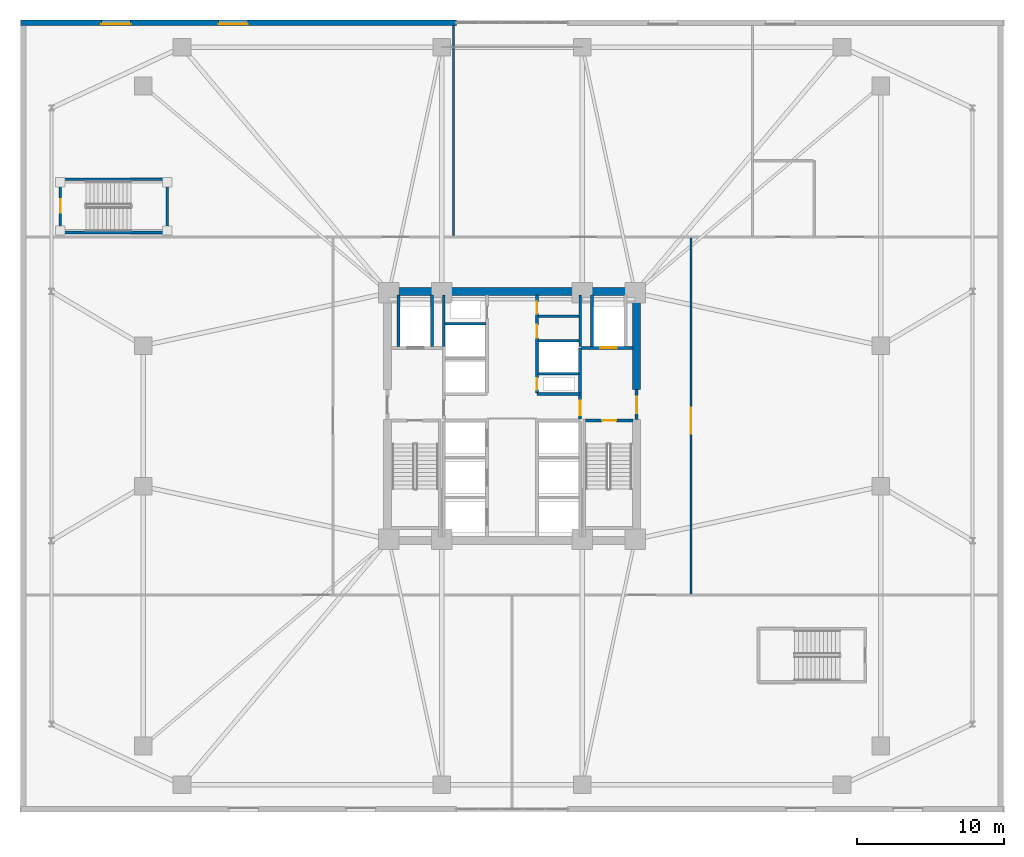
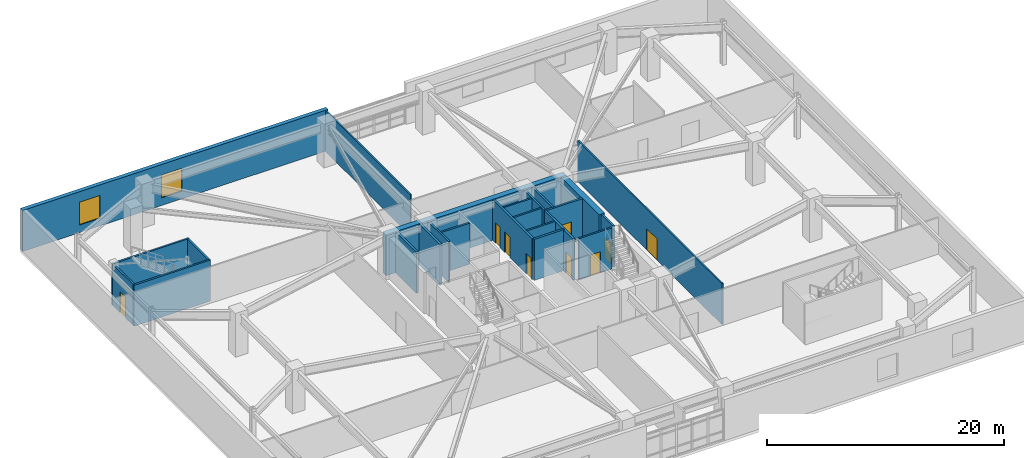
# One storey, part 13 of 21: 24 walls, 9 doors, 2 windows, 11 openings.
"""IFC4 building model written with IfcOpenShell, lengths in metres."""

from ifc_helpers import new_model, si_unit, direction, frame, frame_2d, origin, place, context, subcontext, project, spatial, rectangle, extrude, material, layer, layer_set, type_object, element, fill, save


model = new_model("IFC4")

# Units and contexts
model_context = context("Model", 3, precision=1e-05, world=origin(), true_north=direction((0.0, 1.0)))
body_context = subcontext(model_context, "Body", "Model", "MODEL_VIEW")
ifc_project = project(units=[si_unit("LENGTHUNIT", "METRE"), si_unit("AREAUNIT", "SQUARE_METRE"), si_unit("VOLUMEUNIT", "CUBIC_METRE"), si_unit("PLANEANGLEUNIT", "RADIAN"), si_unit("MASSUNIT", "GRAM", prefix="KILO")], contexts=[model_context])

# Site, building, storey
site_placement = place(None, origin())
site = spatial("IfcSite", under=ifc_project, at=site_placement, CompositionType="ELEMENT")
building_placement = place(site_placement, origin())
building = spatial("IfcBuilding", under=site, at=building_placement, Name="Cairnveth Concourse Tower", CompositionType="ELEMENT")
storey_placement = place(building_placement, frame((0.0, 0.0, 10.0)))
storey = spatial("IfcBuildingStorey", under=building, at=storey_placement, Name="L02", CompositionType="ELEMENT", Elevation=10.0)

# Walls
ifc_material_1 = material(Name="Gypsum Plasterboard Partition", Category="gypsum")
ifc_layer_1 = layer(ifc_material_1, 0.159912109375)
ifc_layer_set_1 = layer_set([ifc_layer_1], Name="Gypsum Plasterboard Partition")
wall_type_1 = type_object("IfcWallType", Name="ACOUSTIC PARTY WALL 180", PredefinedType="PARTITIONING", material=ifc_layer_set_1)
wall_1_placement = place(storey_placement, frame((53.784912109375, 45.800048828125, 0.0), z_axis=(0.0, 0.0, 1.0), x_axis=(1.0, 0.0, 0.0)))
element("IfcWall", 1, at=wall_1_placement, inside=storey, type_object=wall_type_1, Name="Interior Wall IW-L02-037", PredefinedType="PARTITIONING", context=body_context, shape_type="SweptSolid", body=[
    extrude(rectangle(XDim=2.7900390625, YDim=0.159912109375, at=frame_2d((1.39501953125, 0.0))), origin(), (0.0, 0.0, 1.0), 4.219970703125),
])
ifc_material_2 = material(Name="Concrete N80 (80 MPa)", Category="concrete")
ifc_layer_2 = layer(ifc_material_2, 0.550048828125)
ifc_layer_set_2 = layer_set([ifc_layer_2], Name="Concrete N80 (80 MPa)")
wall_type_2 = type_object("IfcWallType", Name="CORE SHEAR WALL 550", PredefinedType="SHEAR", material=ifc_layer_set_2)
wall_2_placement = place(storey_placement, frame((43.22509765625, 47.5, 0.0), z_axis=(0.0, 0.0, 1.0), x_axis=(1.0, 0.0, 0.0)))
element("IfcWall", 2, at=wall_2_placement, inside=storey, type_object=wall_type_2, Name="Core North Shear Wall L02", PredefinedType="SHEAR", context=body_context, shape_type="SweptSolid", body=[
    extrude(rectangle(XDim=17.5498046875, YDim=0.550048828125, at=frame_2d((8.77490234375, 0.0))), origin(), (0.0, 0.0, 1.0), 4.219970703125),
])
wall_3_placement = place(storey_placement, frame((60.5, 40.800048828125, 0.0), z_axis=(0.0, 0.0, 1.0), x_axis=(0.0, 1.0, 0.0)))
element("IfcWall", 3, at=wall_3_placement, inside=storey, type_object=wall_type_2, Name="Core East Shear Wall N L02", PredefinedType="SHEAR", context=body_context, shape_type="SweptSolid", body=[
    extrude(rectangle(XDim=6.43505859375, YDim=0.550048828125, at=frame_2d((3.217529296875, 0.0))), origin(), (0.0, 0.0, 1.0), 4.219970703125),
])
ifc_material_3 = material(Name="Concrete N50 (50 MPa)", Category="concrete")
ifc_layer_3 = layer(ifc_material_3, 0.179931640625)
ifc_layer_set_3 = layer_set([ifc_layer_3], Name="Concrete N50 (50 MPa)")
wall_type_3 = type_object("IfcWallType", Name="FIRE SHAFT WALL 180", PredefinedType="SOLIDWALL", material=ifc_layer_set_3)
wall_4_placement = place(storey_placement, frame((47.35009765625, 43.735107421875, 0.0), z_axis=(0.0, 0.0, 1.0), x_axis=(0.0, 1.0, 0.0)))
element("IfcWall", 4, at=wall_4_placement, inside=storey, type_object=wall_type_3, Name="Interior Wall IW-L02-031", PredefinedType="SOLIDWALL", context=body_context, shape_type="SweptSolid", body=[
    extrude(rectangle(XDim=3.5048828125, YDim=0.179931640625, at=frame_2d((1.75244140625, 0.0))), origin(), (0.0, 0.0, 1.0), 4.219970703125),
])
wall_5_placement = place(storey_placement, frame((47.425048828125, 45.280029296875, 0.0), z_axis=(0.0, 0.0, 1.0), x_axis=(1.0, 0.0, 0.0)))
element("IfcWall", 5, at=wall_5_placement, inside=storey, type_object=wall_type_3, Name="Interior Wall IW-L02-033", PredefinedType="SOLIDWALL", context=body_context, shape_type="SweptSolid", body=[
    extrude(rectangle(XDim=2.7900390625, YDim=0.179931640625, at=frame_2d((1.39501953125, 0.0))), origin(), (0.0, 0.0, 1.0), 4.219970703125),
])
wall_6_placement = place(storey_placement, frame((56.64990234375, 43.735107421875, 0.0), z_axis=(0.0, 0.0, 1.0), x_axis=(0.0, 1.0, 0.0)))
element("IfcWall", 6, at=wall_6_placement, inside=storey, type_object=wall_type_3, Name="Interior Wall IW-L02-034", PredefinedType="SOLIDWALL", context=body_context, shape_type="SweptSolid", body=[
    extrude(rectangle(XDim=3.5048828125, YDim=0.179931640625, at=frame_2d((1.75244140625, 0.0))), origin(), (0.0, 0.0, 1.0), 4.219970703125),
])
wall_7_placement = place(storey_placement, frame((53.784912109375, 41.8798828125, 0.0), z_axis=(0.0, 0.0, 1.0), x_axis=(1.0, 0.0, 0.0)))
element("IfcWall", 7, at=wall_7_placement, inside=storey, type_object=wall_type_3, Name="Interior Wall IW-L02-035", PredefinedType="SOLIDWALL", context=body_context, shape_type="SweptSolid", body=[
    extrude(rectangle(XDim=2.780029296875, YDim=0.179931640625, at=frame_2d((1.39013671875, 0.0))), origin(), (0.0, 0.0, 1.0), 4.219970703125),
])
wall_8_placement = place(storey_placement, frame((53.784912109375, 44.1201171875, 0.0), z_axis=(0.0, 0.0, 1.0), x_axis=(1.0, 0.0, 0.0)))
element("IfcWall", 8, at=wall_8_placement, inside=storey, type_object=wall_type_3, Name="Interior Wall IW-L02-036", PredefinedType="SOLIDWALL", context=body_context, shape_type="SweptSolid", body=[
    extrude(rectangle(XDim=2.7900390625, YDim=0.179931640625, at=frame_2d((1.39501953125, 0.0))), origin(), (0.0, 0.0, 1.0), 4.219970703125),
])

# Wall, opening, door
wall_9_placement = place(storey_placement, frame((57.0048828125, 38.68994140625, 0.0), z_axis=(0.0, 0.0, 1.0), x_axis=(1.0, 0.0, 0.0)))
wall_9 = element("IfcWall", 9, at=wall_9_placement, inside=storey, type_object=wall_type_3, Name="Stair ST-2 Shaft Wall NEAR L02", PredefinedType="SOLIDWALL", context=body_context, shape_type="SweptSolid", body=[
    extrude(rectangle(XDim=3.230224609375, YDim=0.179931640625, at=frame_2d((1.615234375, 0.0))), origin(), (0.0, 0.0, 1.0), 4.219970703125),
])
opening_1_placement = place(wall_9_placement, frame((1.139892578125, 0.0, 0.0)))
opening_1 = element("IfcOpeningElement", 10, at=opening_1_placement, cuts=wall_9, Name="Opening ID12", PredefinedType="OPENING", context=body_context, shape_type="SweptSolid", body=[
    extrude(rectangle(XDim=0.949951171875, YDim=2.14990234375, at=frame_2d((0.47509765625, 1.074951171875))), frame((0.0, 0.099853515625, 0.0), z_axis=(0.0, -1.0, 0.0), x_axis=(1.0, 0.0, 0.0)), (0.0, 0.0, 1.0), 0.199951171875),
])
ifc_material_4 = material(Name="Steel Grade 350", Category="steel")
door_type_1 = type_object("IfcDoorType", Name="FIRE STAIR DOOR 950X2150", OperationType="NOTDEFINED", PredefinedType="DOOR", material=ifc_material_4)
door_1_placement = place(opening_1_placement, origin())
door_1 = element("IfcDoor", 11, at=door_1_placement, inside=storey, type_object=door_type_1, Name="Stair ST-2 Fire Door L02", OperationType="SINGLE_SWING_RIGHT", OverallHeight=2.14990234375, OverallWidth=0.949951171875, PredefinedType="DOOR", context=body_context, shape_type="SweptSolid", body=[
    extrude(rectangle(XDim=0.949951171875, YDim=2.14990234375, at=frame_2d((0.47509765625, 1.074951171875))), frame((0.0, 0.02490234375, 0.0), z_axis=(0.0, -1.0, 0.0), x_axis=(1.0, 0.0, 0.0)), (0.0, 0.0, 1.0), 0.050048828125),
])
fill(opening_1, door_1)

wall_10_placement = place(storey_placement, frame((21.2099609375, 51.5849609375, 0.0), z_axis=(0.0, 0.0, 1.0), x_axis=(0.0, 1.0, 0.0)))
wall_10 = element("IfcWall", 12, at=wall_10_placement, inside=storey, type_object=wall_type_3, Name="Stair ST-P1 Shaft Wall NEAR L02", PredefinedType="SOLIDWALL", context=body_context, shape_type="SweptSolid", body=[
    extrude(rectangle(XDim=3.469970703125, YDim=0.179931640625, at=frame_2d((1.73486328125, 0.0))), origin(), (0.0, 0.0, 1.0), 4.219970703125),
])
opening_2_placement = place(wall_10_placement, frame((1.260009765625, 0.0, 0.0)))
opening_2 = element("IfcOpeningElement", 13, at=opening_2_placement, cuts=wall_10, Name="Opening ID12", PredefinedType="OPENING", context=body_context, shape_type="SweptSolid", body=[
    extrude(rectangle(XDim=0.949951171875, YDim=2.14990234375, at=frame_2d((0.47509765625, 1.074951171875))), frame((0.0, 0.099853515625, 0.0), z_axis=(0.0, -1.0, 0.0), x_axis=(1.0, 0.0, 0.0)), (0.0, 0.0, 1.0), 0.199951171875),
])
door_2_placement = place(opening_2_placement, origin())
door_2 = element("IfcDoor", 14, at=door_2_placement, inside=storey, type_object=door_type_1, Name="Stair ST-P1 Fire Door L02", OperationType="SINGLE_SWING_LEFT", OverallHeight=2.14990234375, OverallWidth=0.949951171875, PredefinedType="DOOR", context=body_context, shape_type="SweptSolid", body=[
    extrude(rectangle(XDim=0.949951171875, YDim=2.14990234375, at=frame_2d((0.47509765625, 1.074951171875))), frame((0.0, 0.02490234375, 0.0), z_axis=(0.0, -1.0, 0.0), x_axis=(1.0, 0.0, 0.0)), (0.0, 0.0, 1.0), 0.050048828125),
])
fill(opening_2, door_2)

# Walls
wall_11_placement = place(storey_placement, frame((28.489990234375, 51.5849609375, 0.0), z_axis=(0.0, 0.0, 1.0), x_axis=(0.0, 1.0, 0.0)))
element("IfcWall", 15, at=wall_11_placement, inside=storey, type_object=wall_type_3, Name="Stair ST-P1 Shaft Wall FAR L02", PredefinedType="SOLIDWALL", context=body_context, shape_type="SweptSolid", body=[
    extrude(rectangle(XDim=3.469970703125, YDim=0.179931640625, at=frame_2d((1.73486328125, 0.0))), origin(), (0.0, 0.0, 1.0), 4.219970703125),
])
for number, where, z_axis, x_axis, name in (
    (16, (21.1201171875, 51.510009765625, 0.0), (0.0, 0.0, 1.0), (1.0, 0.0, 0.0), "Stair ST-P1 Shaft Wall LEFT L02"),
    (17, (21.1201171875, 55.1298828125, 0.0), (0.0, 0.0, 1.0), (1.0, 0.0, 0.0), "Stair ST-P1 Shaft Wall RGHT L02"),
):
    element("IfcWall", number, at=place(storey_placement, frame(where, z_axis=z_axis, x_axis=x_axis)), inside=storey, type_object=wall_type_3, Name=name, PredefinedType="SOLIDWALL", context=body_context, shape_type="SweptSolid", body=[
        extrude(rectangle(XDim=7.4599609375, YDim=0.179931640625, at=frame_2d((3.72998046875, 0.0))), origin(), (0.0, 0.0, 1.0), 4.219970703125),
    ])
ifc_layer_4 = layer(ifc_material_3, 0.199951171875)
ifc_layer_set_4 = layer_set([ifc_layer_4], Name="Concrete N50 (50 MPa)")
wall_type_4 = type_object("IfcWallType", Name="FIRE SHAFT WALL 200", PredefinedType="SOLIDWALL", material=ifc_layer_set_4)
wall_12_placement = place(storey_placement, frame((53.699951171875, 40.5, 0.0), z_axis=(0.0, 0.0, 1.0), x_axis=(1.0, 0.0, 0.0)))
element("IfcWall", 18, at=wall_12_placement, inside=storey, type_object=wall_type_4, Name="Interior Wall IW-L02-010", PredefinedType="SOLIDWALL", context=body_context, shape_type="SweptSolid", body=[
    extrude(rectangle(XDim=2.949951171875, YDim=0.199951171875, at=frame_2d((1.47509765625, 0.0))), origin(), (0.0, 0.0, 1.0), 4.219970703125),
])

# Wall, openings, doors
wall_13_placement = place(storey_placement, frame((53.699951171875, 40.5849609375, 0.0), z_axis=(0.0, 0.0, 1.0), x_axis=(0.0, 1.0, 0.0)))
wall_13 = element("IfcWall", 19, at=wall_13_placement, inside=storey, type_object=wall_type_4, Name="Interior Wall IW-L02-014", PredefinedType="SOLIDWALL", context=body_context, shape_type="SweptSolid", body=[
    extrude(rectangle(XDim=6.655029296875, YDim=0.199951171875, at=frame_2d((3.32763671875, 0.0))), origin(), (0.0, 0.0, 1.0), 4.219970703125),
])
opening_3_placement = place(wall_13_placement, frame((0.195068359375, 0.0, 0.0)))
opening_3 = element("IfcOpeningElement", 20, at=opening_3_placement, cuts=wall_13, Name="Opening ID24", PredefinedType="OPENING", context=body_context, shape_type="SweptSolid", body=[
    extrude(rectangle(XDim=0.800048828125, YDim=2.080078125, at=frame_2d((0.39990234375, 1.0400390625))), frame((0.0, 0.10986328125, 0.0), z_axis=(0.0, -1.0, 0.0), x_axis=(1.0, 0.0, 0.0)), (0.0, 0.0, 1.0), 0.219970703125),
])
opening_4_placement = place(wall_13_placement, frame((3.735107421875, 0.0, 0.0)))
opening_4 = element("IfcOpeningElement", 21, at=opening_4_placement, cuts=wall_13, Name="Opening ID26", PredefinedType="OPENING", context=body_context, shape_type="SweptSolid", body=[
    extrude(rectangle(XDim=0.89990234375, YDim=2.1201171875, at=frame_2d((0.449951171875, 1.06005859375))), frame((0.0, 0.10986328125, 0.0), z_axis=(0.0, -1.0, 0.0), x_axis=(1.0, 0.0, 0.0)), (0.0, 0.0, 1.0), 0.219970703125),
])
opening_5_placement = place(wall_13_placement, frame((5.39501953125, 0.0, 0.0)))
opening_5 = element("IfcOpeningElement", 22, at=opening_5_placement, cuts=wall_13, Name="Opening ID23", PredefinedType="OPENING", context=body_context, shape_type="SweptSolid", body=[
    extrude(rectangle(XDim=0.800048828125, YDim=2.10009765625, at=frame_2d((0.39990234375, 1.050048828125))), frame((0.0, 0.10986328125, 0.0), z_axis=(0.0, -1.0, 0.0), x_axis=(1.0, 0.0, 0.0)), (0.0, 0.0, 1.0), 0.219970703125),
])
door_type_2 = type_object("IfcDoorType", Name="CORE SERVICE DOOR 800X2100", OperationType="NOTDEFINED", PredefinedType="DOOR", material=ifc_material_4)
door_3_placement = place(opening_5_placement, origin())
door_3 = element("IfcDoor", 23, at=door_3_placement, inside=storey, type_object=door_type_2, Name="Core NE Cleaners Door L02", OperationType="SINGLE_SWING_LEFT", OverallHeight=2.10009765625, OverallWidth=0.800048828125, PredefinedType="DOOR", context=body_context, shape_type="SweptSolid", body=[
    extrude(rectangle(XDim=0.800048828125, YDim=2.10009765625, at=frame_2d((0.39990234375, 1.050048828125))), frame((0.0, 0.02490234375, 0.0), z_axis=(0.0, -1.0, 0.0), x_axis=(1.0, 0.0, 0.0)), (0.0, 0.0, 1.0), 0.050048828125),
])
fill(opening_5, door_3)
door_type_3 = type_object("IfcDoorType", Name="CORE TOILET FIRE DOOR 900X2120", OperationType="NOTDEFINED", PredefinedType="DOOR", material=ifc_material_4)
door_4_placement = place(opening_4_placement, origin())
door_4 = element("IfcDoor", 24, at=door_4_placement, inside=storey, type_object=door_type_3, Name="Core NE Unisex WC Door L02", OperationType="SINGLE_SWING_RIGHT", OverallHeight=2.1201171875, OverallWidth=0.89990234375, PredefinedType="DOOR", context=body_context, shape_type="SweptSolid", body=[
    extrude(rectangle(XDim=0.89990234375, YDim=2.1201171875, at=frame_2d((0.449951171875, 1.06005859375))), frame((0.0, 0.02490234375, 0.0), z_axis=(0.0, -1.0, 0.0), x_axis=(1.0, 0.0, 0.0)), (0.0, 0.0, 1.0), 0.050048828125),
])
fill(opening_4, door_4)
door_type_4 = type_object("IfcDoorType", Name="RISER ACCESS DOOR 800X2100", OperationType="NOTDEFINED", PredefinedType="DOOR", material=ifc_material_4)
door_5_placement = place(opening_3_placement, origin())
door_5 = element("IfcDoor", 25, at=door_5_placement, inside=storey, type_object=door_type_4, Name="Hydraulic Riser Door L02", OperationType="SINGLE_SWING_LEFT", OverallHeight=2.080078125, OverallWidth=0.800048828125, PredefinedType="DOOR", context=body_context, shape_type="SweptSolid", body=[
    extrude(rectangle(XDim=0.800048828125, YDim=2.080078125, at=frame_2d((0.39990234375, 1.0400390625))), frame((0.0, 0.02490234375, 0.0), z_axis=(0.0, -1.0, 0.0), x_axis=(1.0, 0.0, 0.0)), (0.0, 0.0, 1.0), 0.050048828125),
])
fill(opening_3, door_5)

# Walls
for number, where, z_axis, x_axis, name in (
    (26, (46.550048828125, 43.735107421875, 0.0), (0.0, 0.0, 1.0), (0.0, 1.0, 0.0), "Interior Wall IW-L02-018"),
    (27, (44.25, 43.735107421875, 0.0), (0.0, 0.0, 1.0), (0.0, 1.0, 0.0), "Interior Wall IW-L02-019"),
):
    element("IfcWall", number, at=place(storey_placement, frame(where, z_axis=z_axis, x_axis=x_axis)), inside=storey, type_object=wall_type_4, Name=name, PredefinedType="SOLIDWALL", context=body_context, shape_type="SweptSolid", body=[
        extrude(rectangle(XDim=3.5048828125, YDim=0.199951171875, at=frame_2d((1.75244140625, 0.0))), origin(), (0.0, 0.0, 1.0), 4.219970703125),
    ])

# Wall, opening, door
wall_14_placement = place(storey_placement, frame((60.5, 38.75, 0.0), z_axis=(0.0, 0.0, 1.0), x_axis=(0.0, 1.0, 0.0)))
wall_14 = element("IfcWall", 28, at=wall_14_placement, inside=storey, type_object=wall_type_4, Name="Interior Wall IW-L02-020", PredefinedType="SOLIDWALL", context=body_context, shape_type="SweptSolid", body=[
    extrude(rectangle(XDim=2.050048828125, YDim=0.199951171875, at=frame_2d((1.02490234375, 0.0))), origin(), (0.0, 0.0, 1.0), 4.219970703125),
])
opening_6_placement = place(wall_14_placement, frame((0.449951171875, 0.0, 0.0)))
opening_6 = element("IfcOpeningElement", 29, at=opening_6_placement, cuts=wall_14, Name="Opening ID06", PredefinedType="OPENING", context=body_context, shape_type="SweptSolid", body=[
    extrude(rectangle(XDim=1.10009765625, YDim=2.14990234375, at=frame_2d((0.550048828125, 1.074951171875))), frame((0.0, 0.10986328125, 0.0), z_axis=(0.0, -1.0, 0.0), x_axis=(1.0, 0.0, 0.0)), (0.0, 0.0, 1.0), 0.219970703125),
])
door_type_5 = type_object("IfcDoorType", Name="FIRE CORRIDOR DOOR 1100X2150", OperationType="NOTDEFINED", PredefinedType="DOOR", material=ifc_material_4)
door_6_placement = place(opening_6_placement, origin())
door_6 = element("IfcDoor", 30, at=door_6_placement, inside=storey, type_object=door_type_5, Name="East Wing to FF Lobby Door L02", OperationType="SINGLE_SWING_RIGHT", OverallHeight=2.14990234375, OverallWidth=1.10009765625, PredefinedType="DOOR", context=body_context, shape_type="SweptSolid", body=[
    extrude(rectangle(XDim=1.10009765625, YDim=2.14990234375, at=frame_2d((0.550048828125, 1.074951171875))), frame((0.0, 0.02490234375, 0.0), z_axis=(0.0, -1.0, 0.0), x_axis=(1.0, 0.0, 0.0)), (0.0, 0.0, 1.0), 0.050048828125),
])
fill(opening_6, door_6)

wall_15_placement = place(storey_placement, frame((56.64990234375, 38.784912109375, 0.0), z_axis=(0.0, 0.0, 1.0), x_axis=(0.0, 1.0, 0.0)))
wall_15 = element("IfcWall", 31, at=wall_15_placement, inside=storey, type_object=wall_type_4, Name="Interior Wall IW-L02-021", PredefinedType="SOLIDWALL", context=body_context, shape_type="SweptSolid", body=[
    extrude(rectangle(XDim=4.864990234375, YDim=0.199951171875, at=frame_2d((2.4326171875, 0.0))), origin(), (0.0, 0.0, 1.0), 4.219970703125),
])
opening_7_placement = place(wall_15_placement, frame((0.264892578125, 0.0, 0.0)))
opening_7 = element("IfcOpeningElement", 32, at=opening_7_placement, cuts=wall_15, Name="Opening ID07", PredefinedType="OPENING", context=body_context, shape_type="SweptSolid", body=[
    extrude(rectangle(XDim=1.0, YDim=2.14990234375, at=frame_2d((0.5, 1.074951171875))), frame((0.0, 0.10986328125, 0.0), z_axis=(0.0, -1.0, 0.0), x_axis=(1.0, 0.0, 0.0)), (0.0, 0.0, 1.0), 0.219970703125),
])
door_type_6 = type_object("IfcDoorType", Name="FIRE CORRIDOR DOOR 1000X2150", OperationType="NOTDEFINED", PredefinedType="DOOR", material=ifc_material_4)
door_7_placement = place(opening_7_placement, origin())
door_7 = element("IfcDoor", 33, at=door_7_placement, inside=storey, type_object=door_type_6, Name="FF Lobby East to Lift Lobby Door L02", OperationType="SINGLE_SWING_LEFT", OverallHeight=2.14990234375, OverallWidth=1.0, PredefinedType="DOOR", context=body_context, shape_type="SweptSolid", body=[
    extrude(rectangle(XDim=1.0, YDim=2.14990234375, at=frame_2d((0.5, 1.074951171875))), frame((0.0, 0.02490234375, 0.0), z_axis=(0.0, -1.0, 0.0), x_axis=(1.0, 0.0, 0.0)), (0.0, 0.0, 1.0), 0.050048828125),
])
fill(opening_7, door_7)

wall_16_placement = place(storey_placement, frame((56.735107421875, 43.64990234375, 0.0), z_axis=(0.0, 0.0, 1.0), x_axis=(1.0, 0.0, 0.0)))
wall_16 = element("IfcWall", 34, at=wall_16_placement, inside=storey, type_object=wall_type_4, Name="Interior Wall IW-L02-022", PredefinedType="SOLIDWALL", context=body_context, shape_type="SweptSolid", body=[
    extrude(rectangle(XDim=3.5048828125, YDim=0.199951171875, at=frame_2d((1.75244140625, 0.0))), origin(), (0.0, 0.0, 1.0), 4.219970703125),
])
opening_8_placement = place(wall_16_placement, frame((1.294921875, 0.0, 0.0)))
opening_8 = element("IfcOpeningElement", 35, at=opening_8_placement, cuts=wall_16, Name="Opening LD-1", PredefinedType="OPENING", context=body_context, shape_type="SweptSolid", body=[
    extrude(rectangle(XDim=1.10009765625, YDim=2.199951171875, at=frame_2d((0.550048828125, 1.10009765625))), frame((0.0, 0.10986328125, 0.0), z_axis=(0.0, -1.0, 0.0), x_axis=(1.0, 0.0, 0.0)), (0.0, 0.0, 1.0), 0.219970703125),
])
ifc_material_5 = material(Name="Architectural Bronze Anodised Aluminium 6063-T6", Category="aluminium")
door_type_7 = type_object("IfcDoorType", Name="LIFT LANDING DOOR 1100X2200", OperationType="SLIDING_TO_LEFT", PredefinedType="DOOR", material=ifc_material_5)
door_8_placement = place(opening_8_placement, origin())
door_8 = element("IfcDoor", 36, at=door_8_placement, inside=storey, type_object=door_type_7, Name="Lift FFL2 Landing Door L02", OperationType="SLIDING_TO_LEFT", OverallHeight=2.199951171875, OverallWidth=1.10009765625, PredefinedType="DOOR", context=body_context, shape_type="SweptSolid", body=[
    extrude(rectangle(XDim=1.10009765625, YDim=2.199951171875, at=frame_2d((0.550048828125, 1.10009765625))), frame((0.0, 0.02490234375, 0.0), z_axis=(0.0, -1.0, 0.0), x_axis=(1.0, 0.0, 0.0)), (0.0, 0.0, 1.0), 0.050048828125),
])
fill(opening_8, door_8)

# Wall
wall_17_placement = place(storey_placement, frame((57.449951171875, 43.735107421875, 0.0), z_axis=(0.0, 0.0, 1.0), x_axis=(0.0, 1.0, 0.0)))
element("IfcWall", 37, at=wall_17_placement, inside=storey, type_object=wall_type_4, Name="Interior Wall IW-L02-023", PredefinedType="SOLIDWALL", context=body_context, shape_type="SweptSolid", body=[
    extrude(rectangle(XDim=3.5048828125, YDim=0.199951171875, at=frame_2d((1.75244140625, 0.0))), origin(), (0.0, 0.0, 1.0), 4.219970703125),
])

# Wall, opening, door
ifc_layer_5 = layer(ifc_material_1, 0.139892578125)
ifc_layer_set_5 = layer_set([ifc_layer_5], Name="Gypsum Plasterboard Partition")
wall_type_5 = type_object("IfcWallType", Name="GYPSUM STUD PARTITION 140", PredefinedType="PARTITIONING", material=ifc_layer_set_5)
wall_18_placement = place(storey_placement, frame((64.199951171875, 26.85498046875, 0.0), z_axis=(0.0, 0.0, 1.0), x_axis=(0.0, 1.0, 0.0)))
wall_18 = element("IfcWall", 38, at=wall_18_placement, inside=storey, type_object=wall_type_5, Name="Interior Wall IW-L02-041", PredefinedType="PARTITIONING", context=body_context, shape_type="SweptSolid", body=[
    extrude(rectangle(XDim=24.2900390625, YDim=0.139892578125, at=frame_2d((12.14501953125, 0.0))), origin(), (0.0, 0.0, 1.0), 4.219970703125),
])
opening_9_placement = place(wall_18_placement, frame((10.945068359375, 0.0, 0.0)))
opening_9 = element("IfcOpeningElement", 39, at=opening_9_placement, cuts=wall_18, Name="Opening ID27", PredefinedType="OPENING", context=body_context, shape_type="SweptSolid", body=[
    extrude(rectangle(XDim=1.760009765625, YDim=2.199951171875, at=frame_2d((0.8798828125, 1.10009765625))), frame((0.0, 0.079833984375, 0.0), z_axis=(0.0, -1.0, 0.0), x_axis=(1.0, 0.0, 0.0)), (0.0, 0.0, 1.0), 0.159912109375),
])
ifc_material_6 = material(Name="Solid Core Hardwood Timber Leaf", Category="wood")
door_type_8 = type_object("IfcDoorType", Name="CONCOURSE DOUBLE DOOR 1760X2200", OperationType="DOUBLE_DOOR_SINGLE_SWING", PredefinedType="DOOR", material=ifc_material_6)
door_9_placement = place(opening_9_placement, origin())
door_9 = element("IfcDoor", 40, at=door_9_placement, inside=storey, type_object=door_type_8, Name="Interior Door DR-L02-021", OperationType="DOUBLE_DOOR_SINGLE_SWING", OverallHeight=2.199951171875, OverallWidth=1.760009765625, PredefinedType="DOOR", context=body_context, shape_type="SweptSolid", body=[
    extrude(rectangle(XDim=1.760009765625, YDim=2.199951171875, at=frame_2d((0.8798828125, 1.10009765625))), frame((0.0, 0.02490234375, 0.0), z_axis=(0.0, -1.0, 0.0), x_axis=(1.0, 0.0, 0.0)), (0.0, 0.0, 1.0), 0.050048828125),
])
fill(opening_9, door_9)

# Wall
wall_19_placement = place(storey_placement, frame((48.0, 51.300048828125, 0.0), z_axis=(0.0, 0.0, 1.0), x_axis=(0.0, 1.0, 0.0)))
element("IfcWall", 41, at=wall_19_placement, inside=storey, type_object=wall_type_5, Name="Interior Wall IW-L02-043", PredefinedType="PARTITIONING", context=body_context, shape_type="SweptSolid", body=[
    extrude(rectangle(XDim=14.3349609375, YDim=0.139892578125, at=frame_2d((7.16748046875, 0.0))), origin(), (0.0, 0.0, 1.0), 4.219970703125),
])

# Wall, openings, windows
ifc_material_7 = material(Name="Hawthorn Red-Ochre Fired Clay Brick Masonry", Category="masonry")
ifc_layer_6 = layer(ifc_material_7, 0.3798828125)
ifc_layer_set_6 = layer_set([ifc_layer_6], Name="Hawthorn Red-Ochre Fired Clay Brick Masonry")
wall_type_6 = type_object("IfcWallType", Name="UPPER PODIUM BRICK WALL 380", PredefinedType="SOLIDWALL", material=ifc_layer_set_6)
wall_20_placement = place(storey_placement, frame((18.5, 65.81005859375, 0.0), z_axis=(0.0, 0.0, 1.0), x_axis=(1.0, 0.0, 0.0)))
wall_20 = element("IfcWall", 42, at=wall_20_placement, inside=storey, type_object=wall_type_6, Name="Exterior Wall EW-L02-NW", PredefinedType="SOLIDWALL", context=body_context, shape_type="SweptSolid", body=[
    extrude(rectangle(XDim=29.699951171875, YDim=0.3798828125, at=frame_2d((14.85009765625, 0.0))), origin(), (0.0, 0.0, 1.0), 4.219970703125),
])
opening_10_placement = place(wall_20_placement, frame((5.5, 0.0, 0.800048828125)))
opening_10 = element("IfcOpeningElement", 43, at=opening_10_placement, cuts=wall_20, Name="Opening W10", PredefinedType="OPENING", context=body_context, shape_type="SweptSolid", body=[
    extrude(rectangle(XDim=2.0, YDim=2.345947265625, at=frame_2d((1.0, 1.1728515625))), frame((0.0, 0.199951171875, 0.0), z_axis=(0.0, -1.0, 0.0), x_axis=(1.0, 0.0, 0.0)), (0.0, 0.0, 1.0), 0.39990234375),
])
opening_11_placement = place(wall_20_placement, frame((13.5, 0.0, 0.800048828125)))
opening_11 = element("IfcOpeningElement", 44, at=opening_11_placement, cuts=wall_20, Name="Opening W10", PredefinedType="OPENING", context=body_context, shape_type="SweptSolid", body=[
    extrude(rectangle(XDim=2.0, YDim=2.345947265625, at=frame_2d((1.0, 1.1728515625))), frame((0.0, 0.199951171875, 0.0), z_axis=(0.0, -1.0, 0.0), x_axis=(1.0, 0.0, 0.0)), (0.0, 0.0, 1.0), 0.39990234375),
])
ifc_material_8 = material(Name="Double Glazed Low-E Clear Glass", Category="glass")
window_type = type_object("IfcWindowType", Name="DEEP-SET PODIUM ARCHED WINDOW 2000X2400", PartitioningType="DOUBLE_PANEL_VERTICAL", PredefinedType="WINDOW", material=ifc_material_8)
window_1_placement = place(opening_10_placement, origin())
window_1 = element("IfcWindow", 45, at=window_1_placement, inside=storey, type_object=window_type, Name="WIN-L02-NW-1", OverallHeight=2.345947265625, OverallWidth=2.0, PartitioningType="SINGLE_PANEL", PredefinedType="WINDOW", context=body_context, shape_type="SweptSolid", body=[
    extrude(rectangle(XDim=2.0, YDim=2.345947265625, at=frame_2d((1.0, 1.1728515625))), frame((0.0, -0.050048828125, 0.0), z_axis=(0.0, -1.0, 0.0), x_axis=(1.0, 0.0, 0.0)), (0.0, 0.0, 1.0), 0.06005859375),
])
fill(opening_10, window_1)
window_2_placement = place(opening_11_placement, origin())
window_2 = element("IfcWindow", 46, at=window_2_placement, inside=storey, type_object=window_type, Name="WIN-L02-NW-2", OverallHeight=2.345947265625, OverallWidth=2.0, PartitioningType="SINGLE_PANEL", PredefinedType="WINDOW", context=body_context, shape_type="SweptSolid", body=[
    extrude(rectangle(XDim=2.0, YDim=2.345947265625, at=frame_2d((1.0, 1.1728515625))), frame((0.0, -0.050048828125, 0.0), z_axis=(0.0, -1.0, 0.0), x_axis=(1.0, 0.0, 0.0)), (0.0, 0.0, 1.0), 0.06005859375),
])
fill(opening_11, window_2)

save(model, "model.ifc")
